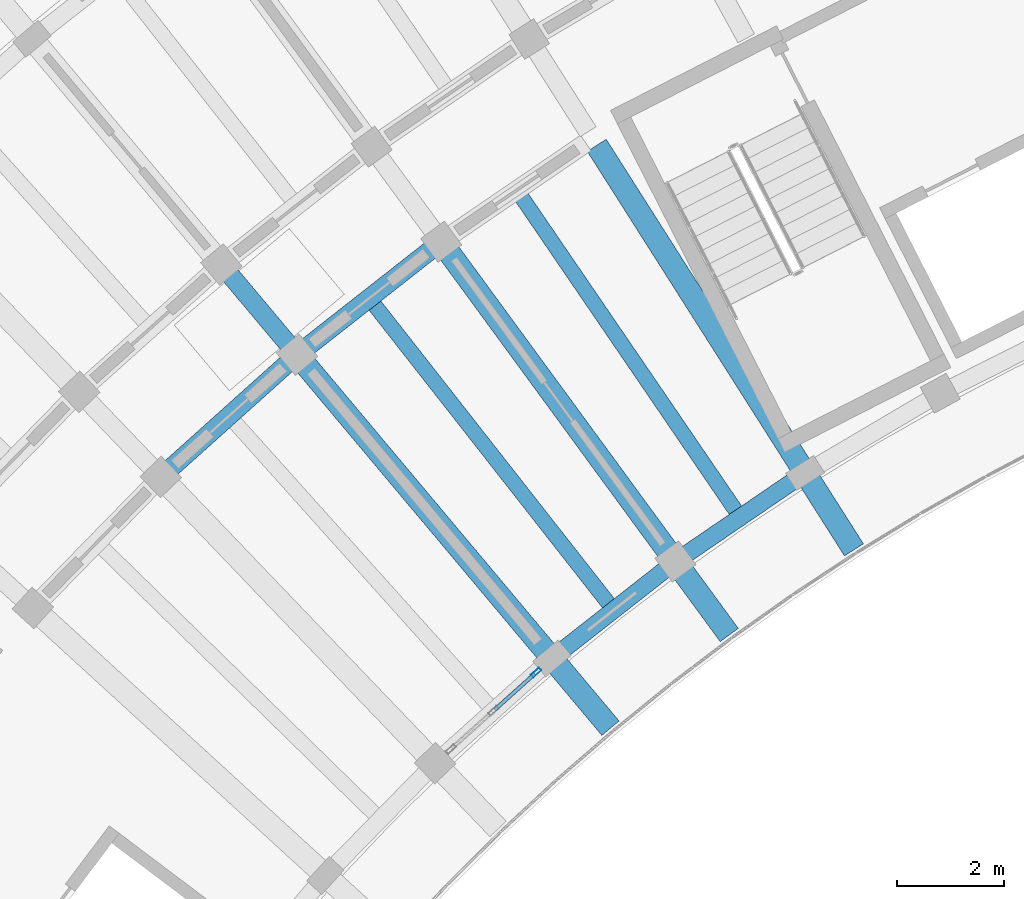
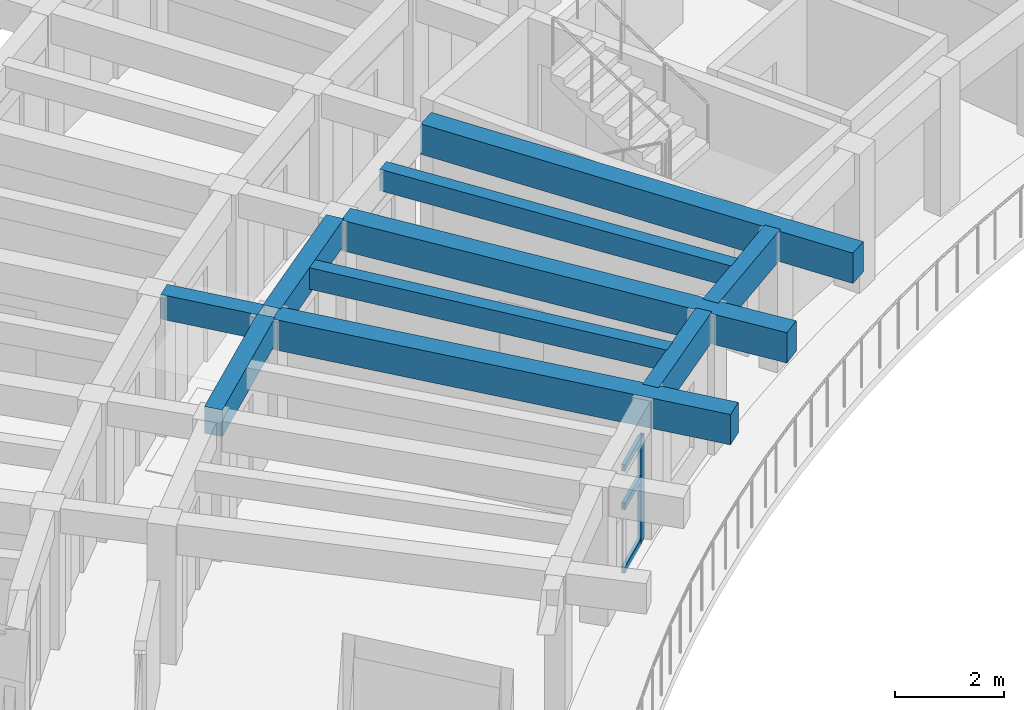
# One storey, part 13 of 81: 10 beams, 4 members, 1 element without a shape of its own.
"""IFC4 building model written with IfcOpenShell, lengths in metres."""

from ifc_helpers import new_model, si_unit, direction, frame, origin, origin_2d, place, context, subcontext, project, spatial, rectangle, hollow_rectangle, extrude, material, material_profile, profile_set, type_object, element, aggregate, save


model = new_model("IFC4")

# Units and contexts
model_context = context("Model", 3, precision=1e-05, world=origin(), true_north=direction((0.0, 1.0)))
body_context = subcontext(model_context, "Body", "Model", "MODEL_VIEW")
ifc_project = project(units=[si_unit("LENGTHUNIT", "METRE"), si_unit("AREAUNIT", "SQUARE_METRE"), si_unit("VOLUMEUNIT", "CUBIC_METRE"), si_unit("PLANEANGLEUNIT", "RADIAN"), si_unit("MASSUNIT", "GRAM", prefix="KILO")], contexts=[model_context])

# Site, building, storey
site_placement = place(None, origin())
site = spatial("IfcSite", under=ifc_project, at=site_placement, CompositionType="ELEMENT")
building_placement = place(site_placement, origin())
building = spatial("IfcBuilding", under=site, at=building_placement, Name="Tanwirah Colonnade Gardens", CompositionType="ELEMENT")
storey_placement = place(building_placement, frame((0.0, 0.0, 18.919921875)))
storey = spatial("IfcBuildingStorey", under=building, at=storey_placement, Name="L05", CompositionType="ELEMENT", Elevation=18.919921875)

# Beams
ifc_material_1 = material(Name="Precast concrete C40/50", Category="concrete")
ifc_material_profile_1 = material_profile(ifc_material_1, rectangle(XDim=0.35009765625, YDim=0.550048828125, at=origin_2d()), Name="PC-BM 350x550")
ifc_profile_set_1 = profile_set([ifc_material_profile_1], Name="Precast concrete C40/50")
beam_type_1 = type_object("IfcBeamType", Name="BM-PC350A", PredefinedType="BEAM", material=ifc_profile_set_1)
beam_placement = place(storey_placement, frame((31.574951171875, 100.034423828125, 2.8349609375), z_axis=(-0.642797194343, 0.766036400535, 0.0), x_axis=(-0.766036400535, -0.642797194343, 0.0)))
element("IfcBeam", 1, at=beam_placement, inside=storey, type_object=beam_type_1, Name="Block A L05 Corridor Tie Beam 9", PredefinedType="BEAM", context=body_context, shape_type="SweptSolid", body=[
    extrude(rectangle(XDim=0.35009765625, YDim=0.550048828125, at=origin_2d()), origin(), (0.0, 0.0, 1.0), 1.89990234375),
])
ifc_material_profile_2 = material_profile(ifc_material_1, rectangle(XDim=0.35009765625, YDim=0.60009765625, at=origin_2d()), Name="PC-BM 350x600")
ifc_profile_set_2 = profile_set([ifc_material_profile_2], Name="Precast concrete C40/50")
beam_type_2 = type_object("IfcBeamType", Name="BM-PC350B", PredefinedType="BEAM", material=ifc_profile_set_2)
for number, where, z_axis, x_axis, name in (
    (2, (34.242919921875, 101.9365234375, 2.81005859375), (-0.78679899272, -0.617209320292, 0.0), (0.617209320292, -0.78679899272, 0.0), "Block A L05 Circumferential Beam 8-R1"),
    (3, (31.559814453125, 99.8193359375, 2.81005859375), (-0.744429866059, -0.667700662363, 0.0), (0.667700662363, -0.744429866059, 0.0), "Block A L05 Circumferential Beam 9-R1"),
):
    element("IfcBeam", number, at=place(storey_placement, frame(where, z_axis=z_axis, x_axis=x_axis)), inside=storey, type_object=beam_type_2, Name=name, PredefinedType="BEAM", context=body_context, shape_type="SweptSolid", body=[
        extrude(rectangle(XDim=0.35009765625, YDim=0.60009765625, at=origin_2d()), origin(), (0.0, 0.0, 1.0), 3.1181640625),
    ])
ifc_material_2 = material(Name="Precast concrete C45/55", Category="concrete")
ifc_material_profile_3 = material_profile(ifc_material_2, rectangle(XDim=0.419921875, YDim=0.679931640625, at=origin_2d()), Name="PC-BM 420x680")
ifc_profile_set_3 = profile_set([ifc_material_profile_3], Name="Precast concrete C45/55")
beam_type_3 = type_object("IfcBeamType", Name="BM-PC420", PredefinedType="BEAM", material=ifc_profile_set_3)
for number, where, z_axis, x_axis, name in (
    (4, (37.263916015625, 103.830322265625, 2.77001953125), (0.536483588607, -0.843910753075, 0.0), (0.843910753075, 0.536483588607, 0.0), "Block A L05 Inner Radial Precast Girder 7"),
    (5, (34.449462890625, 101.907958984375, 2.77001953125), (0.590927205009, -0.806724883947, 0.0), (0.806724883947, 0.590927205009, 0.0), "Block A L05 Inner Radial Precast Girder 8"),
    (6, (31.767822265625, 99.804443359375, 2.77001953125), (0.64279407932, -0.766039014406, 0.0), (0.766039014406, 0.64279407932, 0.0), "Block A L05 Inner Radial Precast Girder 9"),
):
    element("IfcBeam", number, at=place(storey_placement, frame(where, z_axis=z_axis, x_axis=x_axis)), inside=storey, type_object=beam_type_3, Name=name, PredefinedType="BEAM", context=body_context, shape_type="SweptSolid", body=[
        extrude(rectangle(XDim=0.419921875, YDim=0.679931640625, at=origin_2d()), origin(), (0.0, 0.0, 1.0), 8.949951171875),
    ])

# Curtain wall, members
ifc_material_3 = material(Name="Bronze-anodised aluminium and solar-control low-E glass", Category="aluminium")
curtain_wall_type = type_object("IfcCurtainWallType", Name="CW-GDN", PredefinedType="NOTDEFINED", material=ifc_material_3)
curtain_wall_placement = place(storey_placement, origin())
curtain_wall = element("IfcCurtainWall", 7, at=curtain_wall_placement, inside=storey, type_object=curtain_wall_type, Name="Curtain Wall CW-A-L05-IN-09", PredefinedType="NOTDEFINED")
ifc_material_4 = material(Name="Bronze-anodised aluminium", Category="aluminium")
ifc_material_profile_4 = material_profile(ifc_material_4, hollow_rectangle(XDim=0.070068359375, YDim=0.199951171875, WallThickness=0.00390625, at=origin_2d()), Name="CW-MUL 70x200x4")
ifc_profile_set_4 = profile_set([ifc_material_profile_4], Name="Bronze-anodised aluminium")
member_type_1 = type_object("IfcMemberType", Name="CWM-70x200", PredefinedType="MULLION", material=ifc_profile_set_4)
member_1_placement = place(storey_placement, frame((36.134033203125, 93.987060546875, 0.0), z_axis=(0.0, 0.0, 1.0), x_axis=(0.667689182798, -0.744440162253, 0.0)))
member_1 = element("IfcMember", 8, at=member_1_placement, type_object=member_type_1, Name="CW-GDN mullion 1", PredefinedType="MULLION", context=body_context, shape_type="SweptSolid", body=[
    extrude(hollow_rectangle(XDim=0.070068359375, YDim=0.199951171875, WallThickness=0.00390625, at=origin_2d()), origin(), (0.0, 0.0, 1.0), 2.35498046875),
])
ifc_material_profile_5 = material_profile(ifc_material_4, hollow_rectangle(XDim=0.070068359375, YDim=0.14990234375, WallThickness=0.00390625, at=origin_2d()), Name="CW-TRN 70x150x4")
ifc_profile_set_5 = profile_set([ifc_material_profile_5], Name="Bronze-anodised aluminium")
member_type_2 = type_object("IfcMemberType", Name="CWT-70x150", PredefinedType="USERDEFINED", material=ifc_profile_set_5)
member_2_placement = place(storey_placement, frame((36.10791015625, 93.963623046875, 0.03515625), z_axis=(-0.744397854763, -0.667736350534, 0.0), x_axis=(0.667736350534, -0.744397854763, 0.0)))
member_2 = element("IfcMember", 9, at=member_2_placement, type_object=member_type_2, Name="CW-GDN transom 1.1", ObjectType="TRANSOM", PredefinedType="USERDEFINED", context=body_context, shape_type="SweptSolid", body=[
    extrude(hollow_rectangle(XDim=0.070068359375, YDim=0.14990234375, WallThickness=0.00390625, at=origin_2d()), origin(), (0.0, 0.0, 1.0), 1.0),
])
member_3_placement = place(storey_placement, frame((36.10791015625, 93.963623046875, 1.460205078125), z_axis=(-0.744397854763, -0.667736350534, 0.0), x_axis=(0.667736350534, -0.744397854763, 0.0)))
member_3 = element("IfcMember", 10, at=member_3_placement, type_object=member_type_2, Name="CW-GDN transom 1.2", ObjectType="TRANSOM", PredefinedType="USERDEFINED", context=body_context, shape_type="SweptSolid", body=[
    extrude(hollow_rectangle(XDim=0.070068359375, YDim=0.14990234375, WallThickness=0.00390625, at=origin_2d()), origin(), (0.0, 0.0, 1.0), 1.0),
])
member_4_placement = place(storey_placement, frame((36.10791015625, 93.963623046875, 2.320068359375), z_axis=(-0.744397854763, -0.667736350534, 0.0), x_axis=(0.667736350534, -0.744397854763, 0.0)))
member_4 = element("IfcMember", 11, at=member_4_placement, type_object=member_type_2, Name="CW-GDN transom 1.3", ObjectType="TRANSOM", PredefinedType="USERDEFINED", context=body_context, shape_type="SweptSolid", body=[
    extrude(hollow_rectangle(XDim=0.070068359375, YDim=0.14990234375, WallThickness=0.00390625, at=origin_2d()), origin(), (0.0, 0.0, 1.0), 1.0),
])
aggregate(curtain_wall, [member_1, member_2, member_3, member_4])

# Beams
ifc_material_profile_6 = material_profile(ifc_material_1, rectangle(XDim=0.280029296875, YDim=0.47998046875, at=origin_2d()), Name="PC-JST 280x480")
ifc_profile_set_6 = profile_set([ifc_material_profile_6], Name="Precast concrete C40/50")
beam_type_4 = type_object("IfcBeamType", Name="JST-PC280", PredefinedType="JOIST", material=ifc_profile_set_6)
for number, where, z_axis, x_axis, name in (
    (12, (39.8623046875, 97.004638671875, 2.8701171875), (-0.564021195806, 0.825760310672, 0.0), (-0.825760310672, -0.564021195806, 0.0), "Block A L05 Inner Precast Floor Joist 7"),
    (13, (37.491943359375, 95.268310546875, 2.8701171875), (-0.617202438917, 0.786804390808, 0.0), (-0.786804390808, -0.617202438917, 0.0), "Block A L05 Inner Precast Floor Joist 8"),
):
    element("IfcBeam", number, at=place(storey_placement, frame(where, z_axis=z_axis, x_axis=x_axis)), inside=storey, type_object=beam_type_4, Name=name, PredefinedType="JOIST", context=body_context, shape_type="SweptSolid", body=[
        extrude(rectangle(XDim=0.280029296875, YDim=0.47998046875, at=origin_2d()), origin(), (0.0, 0.0, 1.0), 7.159912109375),
    ])
ifc_material_profile_7 = material_profile(ifc_material_2, rectangle(XDim=0.320068359375, YDim=0.679931640625, at=origin_2d()), Name="PC-SP 320x680")
ifc_profile_set_7 = profile_set([ifc_material_profile_7], Name="Precast concrete C45/55")
beam_type_5 = type_object("IfcBeamType", Name="SP-PC320", PredefinedType="SPANDREL", material=ifc_profile_set_7)
for number, where, z_axis, x_axis, name in (
    (14, (41.029541015625, 97.627197265625, 2.77001953125), (-0.825800981874, -0.563961646158, 0.0), (0.563961646158, -0.825800981874, 0.0), "Block A L05 Circumferential Beam 7-R0"),
    (15, (38.61572265625, 95.966552734375, 2.77001953125), (-0.786836625031, -0.617161344795, 0.0), (0.617161344795, -0.786836625031, 0.0), "Block A L05 Circumferential Beam 8-R0"),
):
    element("IfcBeam", number, at=place(storey_placement, frame(where, z_axis=z_axis, x_axis=x_axis)), inside=storey, type_object=beam_type_5, Name=name, PredefinedType="SPANDREL", context=body_context, shape_type="SweptSolid", body=[
        extrude(rectangle(XDim=0.320068359375, YDim=0.679931640625, at=origin_2d()), origin(), (0.0, 0.0, 1.0), 2.63037109375),
    ])

save(model, "model.ifc")
